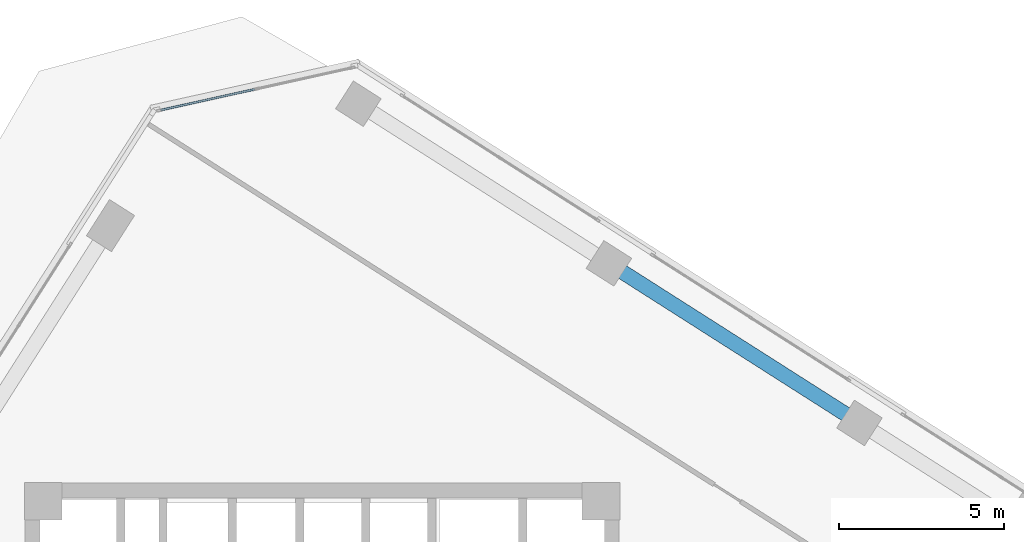
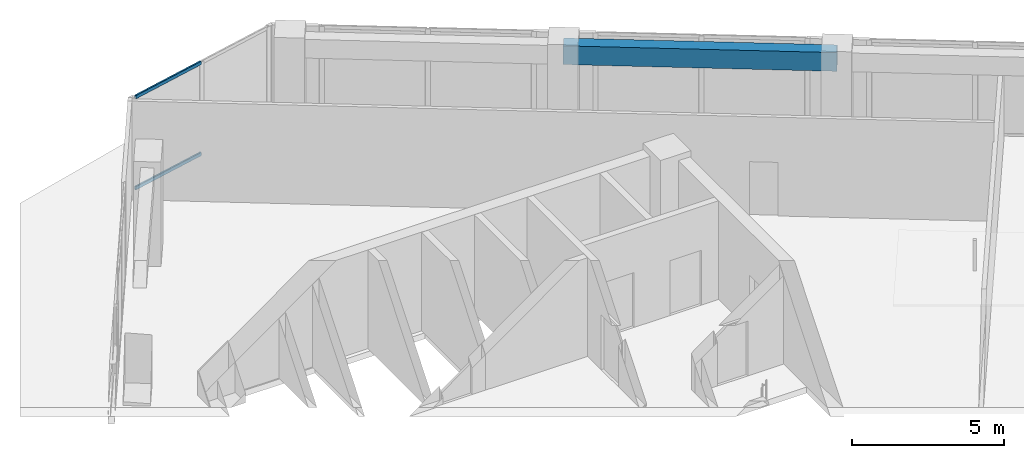
# One storey, part 13 of 23: 2 members, 1 beam, 1 element without a shape of its own.
"""IFC4 building model written with IfcOpenShell, lengths in metres."""

from ifc_helpers import new_model, si_unit, direction, frame, origin, origin_2d, place, context, subcontext, project, spatial, rectangle, hollow_rectangle, extrude, source, transform, mapped, material, material_profile, profile_set, type_object, element, aggregate, save


model = new_model("IFC4")

# Units and contexts
model_context = context("Model", 3, precision=1e-05, world=origin(), true_north=direction((0.0, 1.0)))
body_context = subcontext(model_context, "Body", "Model", "MODEL_VIEW")
ifc_project = project(units=[si_unit("LENGTHUNIT", "METRE"), si_unit("AREAUNIT", "SQUARE_METRE"), si_unit("VOLUMEUNIT", "CUBIC_METRE"), si_unit("PLANEANGLEUNIT", "RADIAN"), si_unit("MASSUNIT", "GRAM", prefix="KILO")], contexts=[model_context])

# Site, building, storey
site_placement = place(None, origin())
site = spatial("IfcSite", under=ifc_project, at=site_placement, CompositionType="ELEMENT")
building_placement = place(site_placement, origin())
building = spatial("IfcBuilding", under=site, at=building_placement, Name="Torre Montelarca", CompositionType="ELEMENT")
storey_placement = place(building_placement, frame((0.0, 0.0, 187.60009765625)))
storey = spatial("IfcBuildingStorey", under=building, at=storey_placement, Name="L42", CompositionType="ELEMENT", Elevation=187.60009765625)

# Beam
ifc_material_1 = material(Name="Concrete C55/67", Category="concrete")
ifc_material_profile_1 = material_profile(ifc_material_1, rectangle(XDim=0.449951171875, YDim=0.75, at=origin_2d()), Name="RCB450X750", Category="concrete")
ifc_profile_set_1 = profile_set([ifc_material_profile_1], Name="Concrete C55/67")
beam_type = type_object("IfcBeamType", Name="BM-SP-RC750-EXT", PredefinedType="SPANDREL", material=ifc_profile_set_1)
shared_shape_1 = source(origin(), body_context, "Body", "SweptSolid", [
    extrude(rectangle(XDim=0.449951171875, YDim=0.75, at=origin_2d()), origin(), (0.0, 0.0, 1.0), 9.0),
])
beam_placement = place(storey_placement, frame((26.688232421875, 46.657958984375, 3.5849609375), z_axis=(0.843393307865, -0.5372966855, 0.0), x_axis=(0.5372966855, 0.843393307865, 0.0)))
element("IfcBeam", 1, at=beam_placement, inside=storey, type_object=beam_type, Name="L42 Grid Girder X 18.0-27.0 at Y=47.1", PredefinedType="SPANDREL", context=body_context, shape_type="MappedRepresentation", body=[
    mapped(shared_shape_1, transform((0.0, 0.0, 0.0), scale=1.0)),
])

# Curtain wall, members
ifc_material_2 = material(Name="Insulated low-E laminated glass", Category="glass")
curtain_wall_type = type_object("IfcCurtainWallType", Name="CW-SYS-Z2", PredefinedType="USERDEFINED", material=ifc_material_2)
curtain_wall_placement = place(storey_placement, origin())
curtain_wall = element("IfcCurtainWall", 2, at=curtain_wall_placement, inside=storey, type_object=curtain_wall_type, Name="L42 Curtain Wall Run CW-T3-L42-E09-B1", ObjectType="UNITISED GLAZING", PredefinedType="USERDEFINED")
ifc_material_3 = material(Name="Anodised aluminium AA 6063-T6", Category="aluminium")
ifc_material_profile_2 = material_profile(ifc_material_3, hollow_rectangle(XDim=0.06494140625, YDim=0.139892578125, WallThickness=0.00390625, InnerFilletRadius=0.00390625, OuterFilletRadius=0.008056640625, at=origin_2d()), Name="ALU65X140X4", Category="aluminium")
ifc_profile_set_2 = profile_set([ifc_material_profile_2], Name="Anodised aluminium AA 6063-T6")
member_type = type_object("IfcMemberType", Name="CWT-ALU140", PredefinedType="USERDEFINED", material=ifc_profile_set_2)
shared_shape_2 = source(origin(), body_context, "Body", "SweptSolid", [
    extrude(hollow_rectangle(XDim=0.06494140625, YDim=0.139892578125, WallThickness=0.00390625, InnerFilletRadius=0.00390625, OuterFilletRadius=0.008056640625, at=origin_2d()), origin(), (0.0, 0.0, 1.0), 2.918701171875),
])
member_1_placement = place(storey_placement, frame((15.96142578125, 51.9326171875, 0.032470703125), z_axis=(-0.976289292082, -0.216469901294, 0.0), x_axis=(0.216469901294, -0.976289292082, 0.0)))
member_1 = element("IfcMember", 3, at=member_1_placement, type_object=member_type, Name="CW transom 2.1", ObjectType="TRANSOM", PredefinedType="USERDEFINED", context=body_context, shape_type="MappedRepresentation", body=[
    mapped(shared_shape_2, transform((0.0, 0.0, 0.0), scale=1.0)),
])
member_2_placement = place(storey_placement, frame((15.96142578125, 51.9326171875, 3.6875), z_axis=(-0.976289292082, -0.216469901294, 0.0), x_axis=(0.216469901294, -0.976289292082, 0.0)))
member_2 = element("IfcMember", 4, at=member_2_placement, type_object=member_type, Name="CW transom 2.2", ObjectType="TRANSOM", PredefinedType="USERDEFINED", context=body_context, shape_type="MappedRepresentation", body=[
    mapped(shared_shape_2, transform((0.0, 0.0, 0.0), scale=1.0)),
])
aggregate(curtain_wall, [member_1, member_2])

save(model, "model.ifc")
